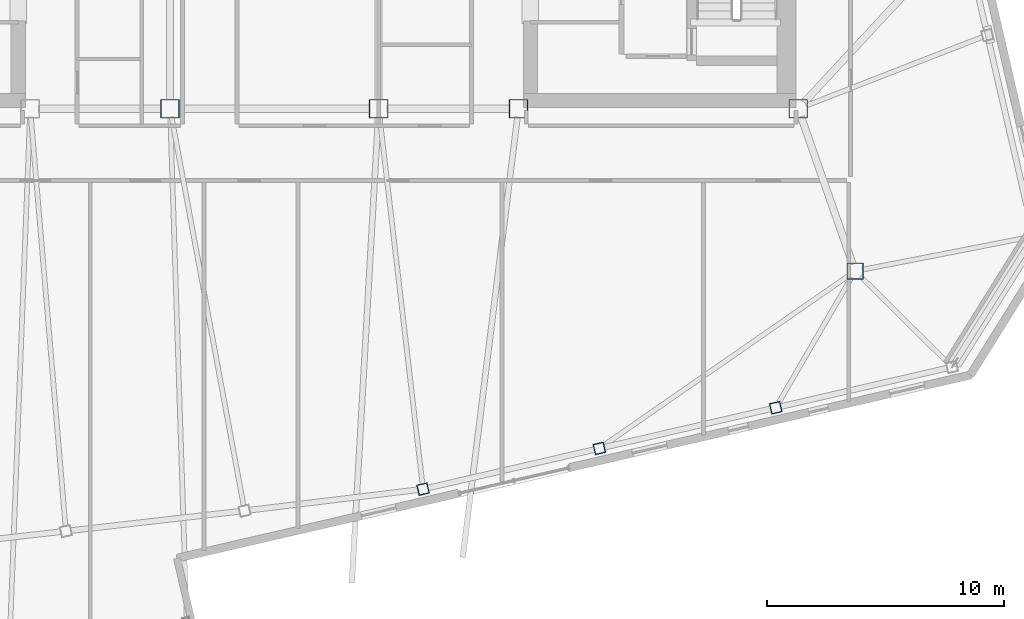
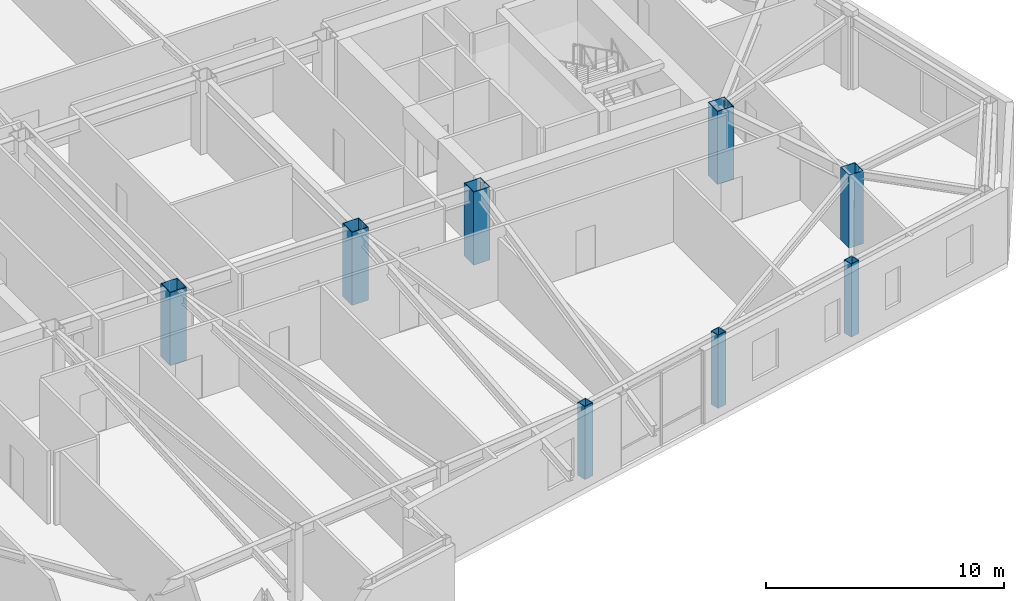
# One storey, part 2 of 21: 8 columns.
"""IFC4 building model written with IfcOpenShell, lengths in metres."""

from ifc_helpers import new_model, si_unit, direction, frame, origin, origin_2d, place, context, subcontext, project, spatial, hollow_rectangle, extrude, material, material_profile, profile_set, type_object, element, save


model = new_model("IFC4")

# Units and contexts
model_context = context("Model", 3, precision=1e-05, world=origin(), true_north=direction((0.0, 1.0)))
body_context = subcontext(model_context, "Body", "Model", "MODEL_VIEW")
ifc_project = project(units=[si_unit("LENGTHUNIT", "METRE"), si_unit("AREAUNIT", "SQUARE_METRE"), si_unit("VOLUMEUNIT", "CUBIC_METRE"), si_unit("PLANEANGLEUNIT", "RADIAN"), si_unit("MASSUNIT", "GRAM", prefix="KILO")], contexts=[model_context])

# Site, building, storey
site_placement = place(None, origin())
site = spatial("IfcSite", under=ifc_project, at=site_placement, CompositionType="ELEMENT")
building_placement = place(site_placement, origin())
building = spatial("IfcBuilding", under=site, at=building_placement, Name="Tavrogorsk Clinical Tower", CompositionType="ELEMENT")
storey_placement = place(building_placement, frame((0.0, 0.0, 285.0)))
storey = spatial("IfcBuildingStorey", under=building, at=storey_placement, Name="L66", CompositionType="ELEMENT", Elevation=285.0)

# Columns
ifc_material_1 = material(Name="Structural steel S440", Category="steel")
ifc_material_profile_1 = material_profile(ifc_material_1, hollow_rectangle(XDim=0.699951171875, YDim=0.699951171875, WallThickness=0.031982421875, at=origin_2d()), Name="BOX-700x700x32")
ifc_profile_set_1 = profile_set([ifc_material_profile_1], Name="Structural steel S440")
column_type_1 = type_object("IfcColumnType", Name="MegaCol_BOX700", PredefinedType="COLUMN", material=ifc_profile_set_1)
column_placement = place(storey_placement, frame((24.5, -13.199951171875, 0.0), z_axis=(0.0, 0.0, 1.0), x_axis=(1.0, 0.0, 0.0)))
element("IfcColumn", 1, at=column_placement, inside=storey, type_object=column_type_1, Name="L66 Spine Pilotis Column MC-P2", PredefinedType="COLUMN", context=body_context, shape_type="SweptSolid", body=[
    extrude(hollow_rectangle(XDim=0.699951171875, YDim=0.699951171875, WallThickness=0.031982421875, at=origin_2d()), origin(), (0.0, 0.0, 1.0), 3.739990234375),
])
ifc_material_2 = material(Name="Structural steel S440", Category="steel")
ifc_material_profile_2 = material_profile(ifc_material_2, hollow_rectangle(XDim=0.800048828125, YDim=0.800048828125, WallThickness=0.035888671875, at=origin_2d()), Name="BOX-800x800x36")
ifc_profile_set_2 = profile_set([ifc_material_profile_2], Name="Structural steel S440")
column_type_2 = type_object("IfcColumnType", Name="MegaCol_BOX800", PredefinedType="COLUMN", material=ifc_profile_set_2)
for number, where, z_axis, x_axis, name in (
    (2, (10.300048828125, -6.35009765625, 0.0), (0.0, 0.0, 1.0), (1.0, 0.0, 0.0), "L66 Mega Column MC-E1"),
    (3, (22.10009765625, -6.35009765625, 0.0), (0.0, 0.0, 1.0), (1.0, 0.0, 0.0), "L66 Mega Column MC-E3"),
    (4, (-4.39990234375, -6.35009765625, 0.0), (0.0, 0.0, 1.0), (1.0, 0.0, 0.0), "L66 Mega Column MC-C1"),
    (5, (4.39990234375, -6.35009765625, 0.0), (0.0, 0.0, 1.0), (1.0, 0.0, 0.0), "L66 Mega Column MC-C2"),
):
    element("IfcColumn", number, at=place(storey_placement, frame(where, z_axis=z_axis, x_axis=x_axis)), inside=storey, type_object=column_type_2, Name=name, PredefinedType="COLUMN", context=body_context, shape_type="SweptSolid", body=[
        extrude(hollow_rectangle(XDim=0.800048828125, YDim=0.800048828125, WallThickness=0.035888671875, at=origin_2d()), origin(), (0.0, 0.0, 1.0), 3.739990234375),
    ])
ifc_material_3 = material(Name="Structural steel S440", Category="steel")
ifc_material_profile_3 = material_profile(ifc_material_3, hollow_rectangle(XDim=0.449951171875, YDim=0.449951171875, WallThickness=0.02197265625, at=origin_2d()), Name="BOX-450x450x22")
ifc_profile_set_3 = profile_set([ifc_material_profile_3], Name="Structural steel S440")
column_type_3 = type_object("IfcColumnType", Name="PerimCol_B5_BOX450", PredefinedType="COLUMN", material=ifc_profile_set_3)
for number, where, z_axis, x_axis, name in (
    (6, (6.272705078125, -22.39697265625, 0.0), (0.0, 0.0, 1.0), (0.974370064785, 0.224951054344, 0.0), "L66 Perimeter Column S5"),
    (7, (13.711181640625, -20.6796875, 0.0), (0.0, 0.0, 1.0), (0.974370064785, 0.224951054344, 0.0), "L66 Perimeter Column S6"),
    (8, (21.14990234375, -18.96240234375, 0.0), (0.0, 0.0, 1.0), (0.974370064785, 0.224951054344, 0.0), "L66 Perimeter Column S7"),
):
    element("IfcColumn", number, at=place(storey_placement, frame(where, z_axis=z_axis, x_axis=x_axis)), inside=storey, type_object=column_type_3, Name=name, PredefinedType="COLUMN", context=body_context, shape_type="SweptSolid", body=[
        extrude(hollow_rectangle(XDim=0.449951171875, YDim=0.449951171875, WallThickness=0.02197265625, at=origin_2d()), origin(), (0.0, 0.0, 1.0), 3.739990234375),
    ])

save(model, "model.ifc")
